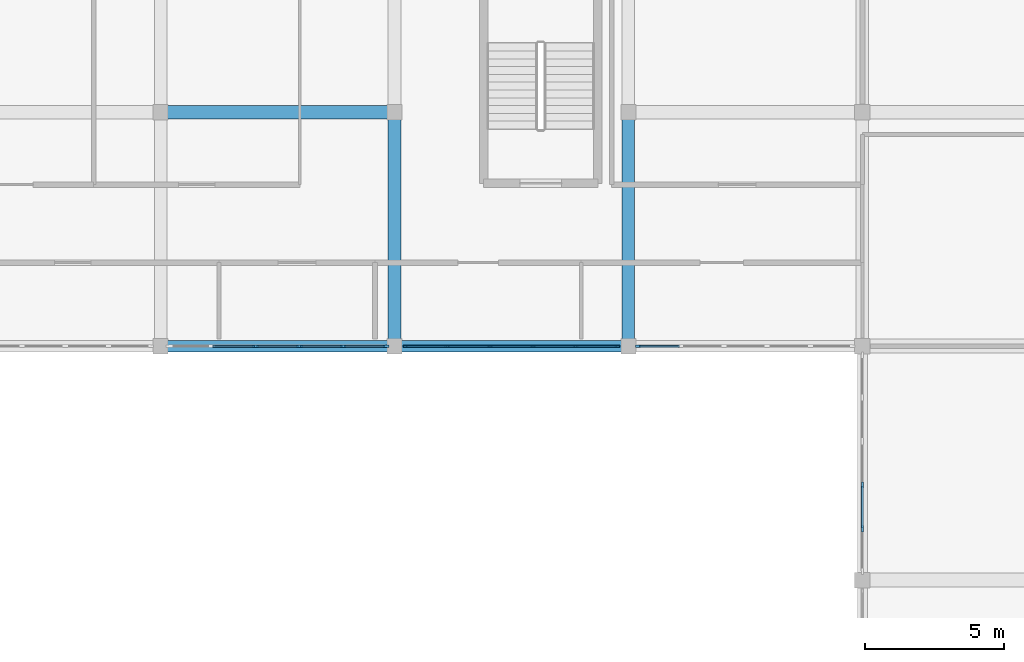
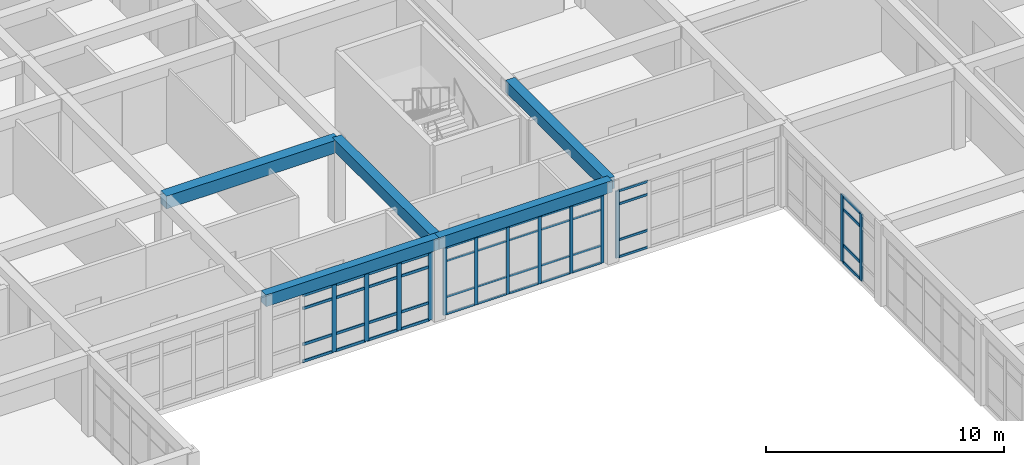
# One storey, part 29 of 77: 57 members, 5 beams, 4 elements without a shape of their own.
"""IFC4 building model written with IfcOpenShell, lengths in metres."""

from ifc_helpers import new_model, si_unit, direction, frame, origin, origin_2d, place, context, subcontext, project, spatial, rectangle, extrude, material, material_profile, profile_set, type_object, element, aggregate, save


model = new_model("IFC4")

# Units and contexts
model_context = context("Model", 3, precision=1e-05, world=origin(), true_north=direction((0.0, 1.0)))
body_context = subcontext(model_context, "Body", "Model", "MODEL_VIEW")
ifc_project = project(units=[si_unit("LENGTHUNIT", "METRE"), si_unit("AREAUNIT", "SQUARE_METRE"), si_unit("VOLUMEUNIT", "CUBIC_METRE"), si_unit("PLANEANGLEUNIT", "RADIAN"), si_unit("MASSUNIT", "GRAM", prefix="KILO")], contexts=[model_context])

# Site, building, storey
site_placement = place(None, origin())
site = spatial("IfcSite", under=ifc_project, at=site_placement, CompositionType="ELEMENT")
building_placement = place(site_placement, origin())
building = spatial("IfcBuilding", under=site, at=building_placement, Name="Varncliffe General Hospital", CompositionType="ELEMENT")
storey_placement = place(building_placement, frame((0.0, 0.0, 16.199951171875)))
storey = spatial("IfcBuildingStorey", under=building, at=storey_placement, Name="L03", CompositionType="ELEMENT", Elevation=16.199951171875)

# Beams
ifc_material_1 = material(Name="Concrete C35/45 (CSA A23.1 35 MPa)", Category="concrete")
ifc_material_profile_1 = material_profile(ifc_material_1, rectangle(XDim=0.5, YDim=0.64990234375, at=origin_2d()), Name="RC 500x650")
ifc_profile_set_1 = profile_set([ifc_material_profile_1], Name="Concrete C35/45 (CSA A23.1 35 MPa)")
beam_type_1 = type_object("IfcBeamType", Name="Beam B29 (Int RC 500x650)", PredefinedType="BEAM", material=ifc_profile_set_1)
beam_1_placement = place(storey_placement, frame((126.0, 91.199951171875, 3.875), z_axis=(1.0, 0.0, 0.0), x_axis=(0.0, 1.0, 0.0)))
element("IfcBeam", 1, at=beam_1_placement, inside=storey, type_object=beam_type_1, Name="L03 Primary Beam B29-99", PredefinedType="BEAM", context=body_context, shape_type="SweptSolid", body=[
    extrude(rectangle(XDim=0.5, YDim=0.64990234375, at=origin_2d()), origin(), (0.0, 0.0, 1.0), 8.39990234375),
])
ifc_material_profile_2 = material_profile(ifc_material_1, rectangle(XDim=0.449951171875, YDim=0.60009765625, at=origin_2d()), Name="RC 450x600")
ifc_profile_set_2 = profile_set([ifc_material_profile_2], Name="Concrete C35/45 (CSA A23.1 35 MPa)")
beam_type_2 = type_object("IfcBeamType", Name="Beam B47 (Int RC 450x600)", PredefinedType="BEAM", material=ifc_profile_set_2)
for number, where, z_axis, x_axis, name in (
    (2, (134.39990234375, 82.800048828125, 3.900146484375), (0.0, 1.0, 0.0), (-1.0, 0.0, 0.0), "L03 Primary Beam B47-347"),
    (3, (142.800048828125, 82.800048828125, 3.900146484375), (0.0, 1.0, 0.0), (-1.0, 0.0, 0.0), "L03 Primary Beam B47-356"),
):
    element("IfcBeam", number, at=place(storey_placement, frame(where, z_axis=z_axis, x_axis=x_axis)), inside=storey, type_object=beam_type_2, Name=name, PredefinedType="BEAM", context=body_context, shape_type="SweptSolid", body=[
        extrude(rectangle(XDim=0.449951171875, YDim=0.60009765625, at=origin_2d()), origin(), (0.0, 0.0, 1.0), 8.39990234375),
    ])

# Curtain wall, member
ifc_material_2 = material(Name="Triple low-E argon insulated vision glazing", Category="glass")
curtain_wall_type_1 = type_object("IfcCurtainWallType", Name="Unitised Glazed Curtain Wall CW23 (7774x3440)", PredefinedType="USERDEFINED", material=ifc_material_2)
curtain_wall_1_placement = place(storey_placement, origin())
curtain_wall_1 = element("IfcCurtainWall", 4, at=curtain_wall_1_placement, inside=storey, type_object=curtain_wall_type_1, Name="L03 Glazed Curtain Wall CW23-169", ObjectType="GLAZED CURTAIN WALL", PredefinedType="USERDEFINED")
ifc_material_3 = material(Name="Dark bronze thermally broken aluminium framing", Category="aluminium")
ifc_material_profile_3 = material_profile(ifc_material_3, rectangle(XDim=0.074951171875, YDim=0.179931640625, at=origin_2d()), Name="ALU 75x180")
ifc_profile_set_3 = profile_set([ifc_material_profile_3], Name="Dark bronze thermally broken aluminium framing")
member_type_1 = type_object("IfcMemberType", Name="Curtain Wall Mullion CM44 (ALU 75x180)", PredefinedType="MULLION", material=ifc_profile_set_3)
member_1_placement = place(storey_placement, frame((143.150390625, 82.800048828125, 0.0), z_axis=(0.0, 0.0, 1.0), x_axis=(0.0, -1.0, 0.0)))
member_1 = element("IfcMember", 5, at=member_1_placement, type_object=member_type_1, Name="CW23 mullion 6", PredefinedType="MULLION", context=body_context, shape_type="SweptSolid", body=[
    extrude(rectangle(XDim=0.074951171875, YDim=0.179931640625, at=origin_2d()), origin(), (0.0, 0.0, 1.0), 3.43994140625),
])

# Curtain wall, members
curtain_wall_type_2 = type_object("IfcCurtainWallType", Name="Unitised Glazed Curtain Wall CW37 (7694x3440)", PredefinedType="USERDEFINED", material=ifc_material_2)
curtain_wall_2_placement = place(storey_placement, origin())
curtain_wall_2 = element("IfcCurtainWall", 6, at=curtain_wall_2_placement, inside=storey, type_object=curtain_wall_type_2, Name="L03 Glazed Curtain Wall CW37-170", ObjectType="GLAZED CURTAIN WALL", PredefinedType="USERDEFINED")
ifc_material_profile_4 = material_profile(ifc_material_3, rectangle(XDim=0.06494140625, YDim=0.159912109375, at=origin_2d()), Name="ALU 65x160")
ifc_profile_set_4 = profile_set([ifc_material_profile_4], Name="Dark bronze thermally broken aluminium framing")
member_type_2 = type_object("IfcMemberType", Name="Curtain Wall Mullion CM65 (ALU 65x160)", PredefinedType="MULLION", material=ifc_profile_set_4)
member_2_placement = place(storey_placement, frame((142.41455078125, 82.800048828125, 0.0), z_axis=(0.0, 0.0, 1.0), x_axis=(0.0, -1.0, 0.0)))
member_2 = element("IfcMember", 7, at=member_2_placement, type_object=member_type_2, Name="CW37 mullion 1", PredefinedType="MULLION", context=body_context, shape_type="SweptSolid", body=[
    extrude(rectangle(XDim=0.06494140625, YDim=0.159912109375, at=origin_2d()), origin(), (0.0, 0.0, 1.0), 3.43994140625),
])
member_3_placement = place(storey_placement, frame((140.908203125, 82.800048828125, 0.0), z_axis=(0.0, 0.0, 1.0), x_axis=(0.0, -1.0, 0.0)))
member_3 = element("IfcMember", 8, at=member_3_placement, type_object=member_type_2, Name="CW37 mullion 2", PredefinedType="MULLION", context=body_context, shape_type="SweptSolid", body=[
    extrude(rectangle(XDim=0.06494140625, YDim=0.159912109375, at=origin_2d()), origin(), (0.0, 0.0, 1.0), 3.43994140625),
])
member_4_placement = place(storey_placement, frame((139.369384765625, 82.800048828125, 0.0), z_axis=(0.0, 0.0, 1.0), x_axis=(0.0, -1.0, 0.0)))
member_4 = element("IfcMember", 9, at=member_4_placement, type_object=member_type_2, Name="CW37 mullion 3", PredefinedType="MULLION", context=body_context, shape_type="SweptSolid", body=[
    extrude(rectangle(XDim=0.06494140625, YDim=0.159912109375, at=origin_2d()), origin(), (0.0, 0.0, 1.0), 3.43994140625),
])
member_5_placement = place(storey_placement, frame((137.83056640625, 82.800048828125, 0.0), z_axis=(0.0, 0.0, 1.0), x_axis=(0.0, -1.0, 0.0)))
member_5 = element("IfcMember", 10, at=member_5_placement, type_object=member_type_2, Name="CW37 mullion 4", PredefinedType="MULLION", context=body_context, shape_type="SweptSolid", body=[
    extrude(rectangle(XDim=0.06494140625, YDim=0.159912109375, at=origin_2d()), origin(), (0.0, 0.0, 1.0), 3.43994140625),
])
member_6_placement = place(storey_placement, frame((136.291748046875, 82.800048828125, 0.0), z_axis=(0.0, 0.0, 1.0), x_axis=(0.0, -1.0, 0.0)))
member_6 = element("IfcMember", 11, at=member_6_placement, type_object=member_type_2, Name="CW37 mullion 5", PredefinedType="MULLION", context=body_context, shape_type="SweptSolid", body=[
    extrude(rectangle(XDim=0.06494140625, YDim=0.159912109375, at=origin_2d()), origin(), (0.0, 0.0, 1.0), 3.43994140625),
])
member_7_placement = place(storey_placement, frame((134.785400390625, 82.800048828125, 0.0), z_axis=(0.0, 0.0, 1.0), x_axis=(0.0, -1.0, 0.0)))
member_7 = element("IfcMember", 12, at=member_7_placement, type_object=member_type_2, Name="CW37 mullion 6", PredefinedType="MULLION", context=body_context, shape_type="SweptSolid", body=[
    extrude(rectangle(XDim=0.06494140625, YDim=0.159912109375, at=origin_2d()), origin(), (0.0, 0.0, 1.0), 3.43994140625),
])

curtain_wall_type_3 = type_object("IfcCurtainWallType", Name="Unitised Glazed Curtain Wall CW83 (7854x3440)", PredefinedType="USERDEFINED", material=ifc_material_2)
curtain_wall_3_placement = place(storey_placement, origin())
curtain_wall_3 = element("IfcCurtainWall", 13, at=curtain_wall_3_placement, inside=storey, type_object=curtain_wall_type_3, Name="L03 Glazed Curtain Wall CW83-168", ObjectType="GLAZED CURTAIN WALL", PredefinedType="USERDEFINED")
ifc_material_profile_5 = material_profile(ifc_material_3, rectangle(XDim=0.074951171875, YDim=0.219970703125, at=origin_2d()), Name="ALU 75x220")
ifc_profile_set_5 = profile_set([ifc_material_profile_5], Name="Dark bronze thermally broken aluminium framing")
member_type_3 = type_object("IfcMemberType", Name="Curtain Wall Mullion CM74 (ALU 75x220)", PredefinedType="MULLION", material=ifc_profile_set_5)
member_8_placement = place(storey_placement, frame((151.199951171875, 76.243896484375, 0.0), z_axis=(0.0, 0.0, 1.0), x_axis=(-1.0, 0.0, 0.0)))
member_8 = element("IfcMember", 14, at=member_8_placement, type_object=member_type_3, Name="CW83 mullion 2", PredefinedType="MULLION", context=body_context, shape_type="SweptSolid", body=[
    extrude(rectangle(XDim=0.074951171875, YDim=0.219970703125, at=origin_2d()), origin(), (0.0, 0.0, 1.0), 3.43994140625),
])
member_9_placement = place(storey_placement, frame((151.199951171875, 77.814697265625, 0.0), z_axis=(0.0, 0.0, 1.0), x_axis=(-1.0, 0.0, 0.0)))
member_9 = element("IfcMember", 15, at=member_9_placement, type_object=member_type_3, Name="CW83 mullion 3", PredefinedType="MULLION", context=body_context, shape_type="SweptSolid", body=[
    extrude(rectangle(XDim=0.074951171875, YDim=0.219970703125, at=origin_2d()), origin(), (0.0, 0.0, 1.0), 3.43994140625),
])

curtain_wall_4_placement = place(storey_placement, origin())
curtain_wall_4 = element("IfcCurtainWall", 16, at=curtain_wall_4_placement, inside=storey, type_object=curtain_wall_type_3, Name="L03 Glazed Curtain Wall CW83-171", ObjectType="GLAZED CURTAIN WALL", PredefinedType="USERDEFINED")
member_10_placement = place(storey_placement, frame((134.089599609375, 82.800048828125, 0.0), z_axis=(0.0, 0.0, 1.0), x_axis=(0.0, -1.0, 0.0)))
member_10 = element("IfcMember", 17, at=member_10_placement, type_object=member_type_3, Name="CW83 mullion 1", PredefinedType="MULLION", context=body_context, shape_type="SweptSolid", body=[
    extrude(rectangle(XDim=0.074951171875, YDim=0.219970703125, at=origin_2d()), origin(), (0.0, 0.0, 1.0), 3.43994140625),
])
member_11_placement = place(storey_placement, frame((132.55615234375, 82.800048828125, 0.0), z_axis=(0.0, 0.0, 1.0), x_axis=(0.0, -1.0, 0.0)))
member_11 = element("IfcMember", 18, at=member_11_placement, type_object=member_type_3, Name="CW83 mullion 2", PredefinedType="MULLION", context=body_context, shape_type="SweptSolid", body=[
    extrude(rectangle(XDim=0.074951171875, YDim=0.219970703125, at=origin_2d()), origin(), (0.0, 0.0, 1.0), 3.43994140625),
])
member_12_placement = place(storey_placement, frame((130.9853515625, 82.800048828125, 0.0), z_axis=(0.0, 0.0, 1.0), x_axis=(0.0, -1.0, 0.0)))
member_12 = element("IfcMember", 19, at=member_12_placement, type_object=member_type_3, Name="CW83 mullion 3", PredefinedType="MULLION", context=body_context, shape_type="SweptSolid", body=[
    extrude(rectangle(XDim=0.074951171875, YDim=0.219970703125, at=origin_2d()), origin(), (0.0, 0.0, 1.0), 3.43994140625),
])
member_13_placement = place(storey_placement, frame((129.41455078125, 82.800048828125, 0.0), z_axis=(0.0, 0.0, 1.0), x_axis=(0.0, -1.0, 0.0)))
member_13 = element("IfcMember", 20, at=member_13_placement, type_object=member_type_3, Name="CW83 mullion 4", PredefinedType="MULLION", context=body_context, shape_type="SweptSolid", body=[
    extrude(rectangle(XDim=0.074951171875, YDim=0.219970703125, at=origin_2d()), origin(), (0.0, 0.0, 1.0), 3.43994140625),
])

# Member
ifc_material_profile_6 = material_profile(ifc_material_3, rectangle(XDim=0.06005859375, YDim=0.1201171875, at=origin_2d()), Name="ALU 60x120")
ifc_profile_set_6 = profile_set([ifc_material_profile_6], Name="Dark bronze thermally broken aluminium framing")
member_type_4 = type_object("IfcMemberType", Name="Curtain Wall Transom CT14 (ALU 60x120)", PredefinedType="USERDEFINED", material=ifc_profile_set_6)
member_14_placement = place(storey_placement, frame((144.63037109375, 82.800048828125, 0.030029296875), z_axis=(-1.0, 0.0, 0.0), x_axis=(0.0, -1.0, 0.0)))
member_14 = element("IfcMember", 21, at=member_14_placement, type_object=member_type_4, Name="CW23 transom 5.1", ObjectType="TRANSOM", PredefinedType="USERDEFINED", context=body_context, shape_type="SweptSolid", body=[
    extrude(rectangle(XDim=0.06005859375, YDim=0.1201171875, at=origin_2d()), origin(), (0.0, 0.0, 1.0), 1.4423828125),
])

member_15_placement = place(storey_placement, frame((144.63037109375, 82.800048828125, 0.900146484375), z_axis=(-1.0, 0.0, 0.0), x_axis=(0.0, -1.0, 0.0)))
member_15 = element("IfcMember", 22, at=member_15_placement, type_object=member_type_4, Name="CW23 transom 5.2", ObjectType="TRANSOM", PredefinedType="USERDEFINED", context=body_context, shape_type="SweptSolid", body=[
    extrude(rectangle(XDim=0.06005859375, YDim=0.1201171875, at=origin_2d()), origin(), (0.0, 0.0, 1.0), 1.4423828125),
])

member_16_placement = place(storey_placement, frame((144.63037109375, 82.800048828125, 2.739990234375), z_axis=(-1.0, 0.0, 0.0), x_axis=(0.0, -1.0, 0.0)))
member_16 = element("IfcMember", 23, at=member_16_placement, type_object=member_type_4, Name="CW23 transom 5.3", ObjectType="TRANSOM", PredefinedType="USERDEFINED", context=body_context, shape_type="SweptSolid", body=[
    extrude(rectangle(XDim=0.06005859375, YDim=0.1201171875, at=origin_2d()), origin(), (0.0, 0.0, 1.0), 1.4423828125),
])

member_17_placement = place(storey_placement, frame((144.63037109375, 82.800048828125, 3.41015625), z_axis=(-1.0, 0.0, 0.0), x_axis=(0.0, -1.0, 0.0)))
member_17 = element("IfcMember", 24, at=member_17_placement, type_object=member_type_4, Name="CW23 transom 5.4", ObjectType="TRANSOM", PredefinedType="USERDEFINED", context=body_context, shape_type="SweptSolid", body=[
    extrude(rectangle(XDim=0.06005859375, YDim=0.1201171875, at=origin_2d()), origin(), (0.0, 0.0, 1.0), 1.4423828125),
])

aggregate(curtain_wall_1, [member_1, member_14, member_15, member_16, member_17])

ifc_material_profile_7 = material_profile(ifc_material_3, rectangle(XDim=0.06005859375, YDim=0.10009765625, at=origin_2d()), Name="ALU 60x100")
ifc_profile_set_7 = profile_set([ifc_material_profile_7], Name="Dark bronze thermally broken aluminium framing")
member_type_5 = type_object("IfcMemberType", Name="Curtain Wall Transom CT18 (ALU 60x100)", PredefinedType="USERDEFINED", material=ifc_profile_set_7)
member_18_placement = place(storey_placement, frame((142.382080078125, 82.800048828125, 0.030029296875), z_axis=(-1.0, 0.0, 0.0), x_axis=(0.0, -1.0, 0.0)))
member_18 = element("IfcMember", 25, at=member_18_placement, type_object=member_type_5, Name="CW37 transom 1.1", ObjectType="TRANSOM", PredefinedType="USERDEFINED", context=body_context, shape_type="SweptSolid", body=[
    extrude(rectangle(XDim=0.06005859375, YDim=0.10009765625, at=origin_2d()), origin(), (0.0, 0.0, 1.0), 1.44140625),
])

member_19_placement = place(storey_placement, frame((142.382080078125, 82.800048828125, 0.900146484375), z_axis=(-1.0, 0.0, 0.0), x_axis=(0.0, -1.0, 0.0)))
member_19 = element("IfcMember", 26, at=member_19_placement, type_object=member_type_5, Name="CW37 transom 1.2", ObjectType="TRANSOM", PredefinedType="USERDEFINED", context=body_context, shape_type="SweptSolid", body=[
    extrude(rectangle(XDim=0.06005859375, YDim=0.10009765625, at=origin_2d()), origin(), (0.0, 0.0, 1.0), 1.44140625),
])

member_20_placement = place(storey_placement, frame((142.382080078125, 82.800048828125, 2.739990234375), z_axis=(-1.0, 0.0, 0.0), x_axis=(0.0, -1.0, 0.0)))
member_20 = element("IfcMember", 27, at=member_20_placement, type_object=member_type_5, Name="CW37 transom 1.3", ObjectType="TRANSOM", PredefinedType="USERDEFINED", context=body_context, shape_type="SweptSolid", body=[
    extrude(rectangle(XDim=0.06005859375, YDim=0.10009765625, at=origin_2d()), origin(), (0.0, 0.0, 1.0), 1.44140625),
])

member_21_placement = place(storey_placement, frame((142.382080078125, 82.800048828125, 3.41015625), z_axis=(-1.0, 0.0, 0.0), x_axis=(0.0, -1.0, 0.0)))
member_21 = element("IfcMember", 28, at=member_21_placement, type_object=member_type_5, Name="CW37 transom 1.4", ObjectType="TRANSOM", PredefinedType="USERDEFINED", context=body_context, shape_type="SweptSolid", body=[
    extrude(rectangle(XDim=0.06005859375, YDim=0.10009765625, at=origin_2d()), origin(), (0.0, 0.0, 1.0), 1.44140625),
])

member_22_placement = place(storey_placement, frame((140.875732421875, 82.800048828125, 0.030029296875), z_axis=(-1.0, 0.0, 0.0), x_axis=(0.0, -1.0, 0.0)))
member_22 = element("IfcMember", 29, at=member_22_placement, type_object=member_type_5, Name="CW37 transom 2.1", ObjectType="TRANSOM", PredefinedType="USERDEFINED", context=body_context, shape_type="SweptSolid", body=[
    extrude(rectangle(XDim=0.06005859375, YDim=0.10009765625, at=origin_2d()), origin(), (0.0, 0.0, 1.0), 1.473876953125),
])

member_23_placement = place(storey_placement, frame((140.875732421875, 82.800048828125, 0.900146484375), z_axis=(-1.0, 0.0, 0.0), x_axis=(0.0, -1.0, 0.0)))
member_23 = element("IfcMember", 30, at=member_23_placement, type_object=member_type_5, Name="CW37 transom 2.2", ObjectType="TRANSOM", PredefinedType="USERDEFINED", context=body_context, shape_type="SweptSolid", body=[
    extrude(rectangle(XDim=0.06005859375, YDim=0.10009765625, at=origin_2d()), origin(), (0.0, 0.0, 1.0), 1.473876953125),
])

member_24_placement = place(storey_placement, frame((140.875732421875, 82.800048828125, 2.739990234375), z_axis=(-1.0, 0.0, 0.0), x_axis=(0.0, -1.0, 0.0)))
member_24 = element("IfcMember", 31, at=member_24_placement, type_object=member_type_5, Name="CW37 transom 2.3", ObjectType="TRANSOM", PredefinedType="USERDEFINED", context=body_context, shape_type="SweptSolid", body=[
    extrude(rectangle(XDim=0.06005859375, YDim=0.10009765625, at=origin_2d()), origin(), (0.0, 0.0, 1.0), 1.473876953125),
])

member_25_placement = place(storey_placement, frame((140.875732421875, 82.800048828125, 3.41015625), z_axis=(-1.0, 0.0, 0.0), x_axis=(0.0, -1.0, 0.0)))
member_25 = element("IfcMember", 32, at=member_25_placement, type_object=member_type_5, Name="CW37 transom 2.4", ObjectType="TRANSOM", PredefinedType="USERDEFINED", context=body_context, shape_type="SweptSolid", body=[
    extrude(rectangle(XDim=0.06005859375, YDim=0.10009765625, at=origin_2d()), origin(), (0.0, 0.0, 1.0), 1.473876953125),
])

member_26_placement = place(storey_placement, frame((139.3369140625, 82.800048828125, 0.030029296875), z_axis=(-1.0, 0.0, 0.0), x_axis=(0.0, -1.0, 0.0)))
member_26 = element("IfcMember", 33, at=member_26_placement, type_object=member_type_5, Name="CW37 transom 3.1", ObjectType="TRANSOM", PredefinedType="USERDEFINED", context=body_context, shape_type="SweptSolid", body=[
    extrude(rectangle(XDim=0.06005859375, YDim=0.10009765625, at=origin_2d()), origin(), (0.0, 0.0, 1.0), 1.473876953125),
])

member_27_placement = place(storey_placement, frame((139.3369140625, 82.800048828125, 0.900146484375), z_axis=(-1.0, 0.0, 0.0), x_axis=(0.0, -1.0, 0.0)))
member_27 = element("IfcMember", 34, at=member_27_placement, type_object=member_type_5, Name="CW37 transom 3.2", ObjectType="TRANSOM", PredefinedType="USERDEFINED", context=body_context, shape_type="SweptSolid", body=[
    extrude(rectangle(XDim=0.06005859375, YDim=0.10009765625, at=origin_2d()), origin(), (0.0, 0.0, 1.0), 1.473876953125),
])

member_28_placement = place(storey_placement, frame((139.3369140625, 82.800048828125, 2.739990234375), z_axis=(-1.0, 0.0, 0.0), x_axis=(0.0, -1.0, 0.0)))
member_28 = element("IfcMember", 35, at=member_28_placement, type_object=member_type_5, Name="CW37 transom 3.3", ObjectType="TRANSOM", PredefinedType="USERDEFINED", context=body_context, shape_type="SweptSolid", body=[
    extrude(rectangle(XDim=0.06005859375, YDim=0.10009765625, at=origin_2d()), origin(), (0.0, 0.0, 1.0), 1.473876953125),
])

member_29_placement = place(storey_placement, frame((139.3369140625, 82.800048828125, 3.41015625), z_axis=(-1.0, 0.0, 0.0), x_axis=(0.0, -1.0, 0.0)))
member_29 = element("IfcMember", 36, at=member_29_placement, type_object=member_type_5, Name="CW37 transom 3.4", ObjectType="TRANSOM", PredefinedType="USERDEFINED", context=body_context, shape_type="SweptSolid", body=[
    extrude(rectangle(XDim=0.06005859375, YDim=0.10009765625, at=origin_2d()), origin(), (0.0, 0.0, 1.0), 1.473876953125),
])

member_30_placement = place(storey_placement, frame((137.798095703125, 82.800048828125, 0.030029296875), z_axis=(-1.0, 0.0, 0.0), x_axis=(0.0, -1.0, 0.0)))
member_30 = element("IfcMember", 37, at=member_30_placement, type_object=member_type_5, Name="CW37 transom 4.1", ObjectType="TRANSOM", PredefinedType="USERDEFINED", context=body_context, shape_type="SweptSolid", body=[
    extrude(rectangle(XDim=0.06005859375, YDim=0.10009765625, at=origin_2d()), origin(), (0.0, 0.0, 1.0), 1.473876953125),
])

member_31_placement = place(storey_placement, frame((137.798095703125, 82.800048828125, 0.900146484375), z_axis=(-1.0, 0.0, 0.0), x_axis=(0.0, -1.0, 0.0)))
member_31 = element("IfcMember", 38, at=member_31_placement, type_object=member_type_5, Name="CW37 transom 4.2", ObjectType="TRANSOM", PredefinedType="USERDEFINED", context=body_context, shape_type="SweptSolid", body=[
    extrude(rectangle(XDim=0.06005859375, YDim=0.10009765625, at=origin_2d()), origin(), (0.0, 0.0, 1.0), 1.473876953125),
])

member_32_placement = place(storey_placement, frame((137.798095703125, 82.800048828125, 2.739990234375), z_axis=(-1.0, 0.0, 0.0), x_axis=(0.0, -1.0, 0.0)))
member_32 = element("IfcMember", 39, at=member_32_placement, type_object=member_type_5, Name="CW37 transom 4.3", ObjectType="TRANSOM", PredefinedType="USERDEFINED", context=body_context, shape_type="SweptSolid", body=[
    extrude(rectangle(XDim=0.06005859375, YDim=0.10009765625, at=origin_2d()), origin(), (0.0, 0.0, 1.0), 1.473876953125),
])

member_33_placement = place(storey_placement, frame((137.798095703125, 82.800048828125, 3.41015625), z_axis=(-1.0, 0.0, 0.0), x_axis=(0.0, -1.0, 0.0)))
member_33 = element("IfcMember", 40, at=member_33_placement, type_object=member_type_5, Name="CW37 transom 4.4", ObjectType="TRANSOM", PredefinedType="USERDEFINED", context=body_context, shape_type="SweptSolid", body=[
    extrude(rectangle(XDim=0.06005859375, YDim=0.10009765625, at=origin_2d()), origin(), (0.0, 0.0, 1.0), 1.473876953125),
])

member_34_placement = place(storey_placement, frame((136.25927734375, 82.800048828125, 0.030029296875), z_axis=(-1.0, 0.0, 0.0), x_axis=(0.0, -1.0, 0.0)))
member_34 = element("IfcMember", 41, at=member_34_placement, type_object=member_type_5, Name="CW37 transom 5.1", ObjectType="TRANSOM", PredefinedType="USERDEFINED", context=body_context, shape_type="SweptSolid", body=[
    extrude(rectangle(XDim=0.06005859375, YDim=0.10009765625, at=origin_2d()), origin(), (0.0, 0.0, 1.0), 1.441162109375),
])

member_35_placement = place(storey_placement, frame((136.25927734375, 82.800048828125, 0.900146484375), z_axis=(-1.0, 0.0, 0.0), x_axis=(0.0, -1.0, 0.0)))
member_35 = element("IfcMember", 42, at=member_35_placement, type_object=member_type_5, Name="CW37 transom 5.2", ObjectType="TRANSOM", PredefinedType="USERDEFINED", context=body_context, shape_type="SweptSolid", body=[
    extrude(rectangle(XDim=0.06005859375, YDim=0.10009765625, at=origin_2d()), origin(), (0.0, 0.0, 1.0), 1.441162109375),
])

member_36_placement = place(storey_placement, frame((136.25927734375, 82.800048828125, 2.739990234375), z_axis=(-1.0, 0.0, 0.0), x_axis=(0.0, -1.0, 0.0)))
member_36 = element("IfcMember", 43, at=member_36_placement, type_object=member_type_5, Name="CW37 transom 5.3", ObjectType="TRANSOM", PredefinedType="USERDEFINED", context=body_context, shape_type="SweptSolid", body=[
    extrude(rectangle(XDim=0.06005859375, YDim=0.10009765625, at=origin_2d()), origin(), (0.0, 0.0, 1.0), 1.441162109375),
])

member_37_placement = place(storey_placement, frame((136.25927734375, 82.800048828125, 3.41015625), z_axis=(-1.0, 0.0, 0.0), x_axis=(0.0, -1.0, 0.0)))
member_37 = element("IfcMember", 44, at=member_37_placement, type_object=member_type_5, Name="CW37 transom 5.4", ObjectType="TRANSOM", PredefinedType="USERDEFINED", context=body_context, shape_type="SweptSolid", body=[
    extrude(rectangle(XDim=0.06005859375, YDim=0.10009765625, at=origin_2d()), origin(), (0.0, 0.0, 1.0), 1.441162109375),
])

aggregate(curtain_wall_2, [member_2, member_3, member_4, member_5, member_6, member_7, member_18, member_19, member_20, member_21, member_22, member_23, member_24, member_25, member_26, member_27, member_28, member_29, member_30, member_31, member_32, member_33, member_34, member_35, member_36, member_37])

ifc_material_profile_8 = material_profile(ifc_material_3, rectangle(XDim=0.06494140625, YDim=0.139892578125, at=origin_2d()), Name="ALU 65x140")
ifc_profile_set_8 = profile_set([ifc_material_profile_8], Name="Dark bronze thermally broken aluminium framing")
member_type_6 = type_object("IfcMemberType", Name="Curtain Wall Transom CT69 (ALU 65x140)", PredefinedType="USERDEFINED", material=ifc_profile_set_8)
member_38_placement = place(storey_placement, frame((151.199951171875, 76.28125, 0.032470703125), z_axis=(0.0, 1.0, 0.0), x_axis=(-1.0, 0.0, 0.0)))
member_38 = element("IfcMember", 45, at=member_38_placement, type_object=member_type_6, Name="CW83 transom 2.1", ObjectType="TRANSOM", PredefinedType="USERDEFINED", context=body_context, shape_type="SweptSolid", body=[
    extrude(rectangle(XDim=0.06494140625, YDim=0.139892578125, at=origin_2d()), origin(), (0.0, 0.0, 1.0), 1.495849609375),
])

member_39_placement = place(storey_placement, frame((151.199951171875, 76.28125, 0.900146484375), z_axis=(0.0, 1.0, 0.0), x_axis=(-1.0, 0.0, 0.0)))
member_39 = element("IfcMember", 46, at=member_39_placement, type_object=member_type_6, Name="CW83 transom 2.2", ObjectType="TRANSOM", PredefinedType="USERDEFINED", context=body_context, shape_type="SweptSolid", body=[
    extrude(rectangle(XDim=0.06494140625, YDim=0.139892578125, at=origin_2d()), origin(), (0.0, 0.0, 1.0), 1.495849609375),
])

member_40_placement = place(storey_placement, frame((151.199951171875, 76.28125, 2.739990234375), z_axis=(0.0, 1.0, 0.0), x_axis=(-1.0, 0.0, 0.0)))
member_40 = element("IfcMember", 47, at=member_40_placement, type_object=member_type_6, Name="CW83 transom 2.3", ObjectType="TRANSOM", PredefinedType="USERDEFINED", context=body_context, shape_type="SweptSolid", body=[
    extrude(rectangle(XDim=0.06494140625, YDim=0.139892578125, at=origin_2d()), origin(), (0.0, 0.0, 1.0), 1.495849609375),
])

member_41_placement = place(storey_placement, frame((151.199951171875, 76.28125, 3.407470703125), z_axis=(0.0, 1.0, 0.0), x_axis=(-1.0, 0.0, 0.0)))
member_41 = element("IfcMember", 48, at=member_41_placement, type_object=member_type_6, Name="CW83 transom 2.4", ObjectType="TRANSOM", PredefinedType="USERDEFINED", context=body_context, shape_type="SweptSolid", body=[
    extrude(rectangle(XDim=0.06494140625, YDim=0.139892578125, at=origin_2d()), origin(), (0.0, 0.0, 1.0), 1.495849609375),
])

aggregate(curtain_wall_3, [member_8, member_9, member_38, member_39, member_40, member_41])

member_42_placement = place(storey_placement, frame((134.052001953125, 82.800048828125, 0.032470703125), z_axis=(-1.0, 0.0, 0.0), x_axis=(0.0, -1.0, 0.0)))
member_42 = element("IfcMember", 49, at=member_42_placement, type_object=member_type_6, Name="CW83 transom 1.1", ObjectType="TRANSOM", PredefinedType="USERDEFINED", context=body_context, shape_type="SweptSolid", body=[
    extrude(rectangle(XDim=0.06494140625, YDim=0.139892578125, at=origin_2d()), origin(), (0.0, 0.0, 1.0), 1.458251953125),
])

member_43_placement = place(storey_placement, frame((134.052001953125, 82.800048828125, 0.900146484375), z_axis=(-1.0, 0.0, 0.0), x_axis=(0.0, -1.0, 0.0)))
member_43 = element("IfcMember", 50, at=member_43_placement, type_object=member_type_6, Name="CW83 transom 1.2", ObjectType="TRANSOM", PredefinedType="USERDEFINED", context=body_context, shape_type="SweptSolid", body=[
    extrude(rectangle(XDim=0.06494140625, YDim=0.139892578125, at=origin_2d()), origin(), (0.0, 0.0, 1.0), 1.458251953125),
])

member_44_placement = place(storey_placement, frame((134.052001953125, 82.800048828125, 2.739990234375), z_axis=(-1.0, 0.0, 0.0), x_axis=(0.0, -1.0, 0.0)))
member_44 = element("IfcMember", 51, at=member_44_placement, type_object=member_type_6, Name="CW83 transom 1.3", ObjectType="TRANSOM", PredefinedType="USERDEFINED", context=body_context, shape_type="SweptSolid", body=[
    extrude(rectangle(XDim=0.06494140625, YDim=0.139892578125, at=origin_2d()), origin(), (0.0, 0.0, 1.0), 1.458251953125),
])

member_45_placement = place(storey_placement, frame((134.052001953125, 82.800048828125, 3.407470703125), z_axis=(-1.0, 0.0, 0.0), x_axis=(0.0, -1.0, 0.0)))
member_45 = element("IfcMember", 52, at=member_45_placement, type_object=member_type_6, Name="CW83 transom 1.4", ObjectType="TRANSOM", PredefinedType="USERDEFINED", context=body_context, shape_type="SweptSolid", body=[
    extrude(rectangle(XDim=0.06494140625, YDim=0.139892578125, at=origin_2d()), origin(), (0.0, 0.0, 1.0), 1.458251953125),
])

member_46_placement = place(storey_placement, frame((132.518798828125, 82.800048828125, 0.032470703125), z_axis=(-1.0, 0.0, 0.0), x_axis=(0.0, -1.0, 0.0)))
member_46 = element("IfcMember", 53, at=member_46_placement, type_object=member_type_6, Name="CW83 transom 2.1", ObjectType="TRANSOM", PredefinedType="USERDEFINED", context=body_context, shape_type="SweptSolid", body=[
    extrude(rectangle(XDim=0.06494140625, YDim=0.139892578125, at=origin_2d()), origin(), (0.0, 0.0, 1.0), 1.495849609375),
])

member_47_placement = place(storey_placement, frame((132.518798828125, 82.800048828125, 0.900146484375), z_axis=(-1.0, 0.0, 0.0), x_axis=(0.0, -1.0, 0.0)))
member_47 = element("IfcMember", 54, at=member_47_placement, type_object=member_type_6, Name="CW83 transom 2.2", ObjectType="TRANSOM", PredefinedType="USERDEFINED", context=body_context, shape_type="SweptSolid", body=[
    extrude(rectangle(XDim=0.06494140625, YDim=0.139892578125, at=origin_2d()), origin(), (0.0, 0.0, 1.0), 1.495849609375),
])

member_48_placement = place(storey_placement, frame((132.518798828125, 82.800048828125, 2.739990234375), z_axis=(-1.0, 0.0, 0.0), x_axis=(0.0, -1.0, 0.0)))
member_48 = element("IfcMember", 55, at=member_48_placement, type_object=member_type_6, Name="CW83 transom 2.3", ObjectType="TRANSOM", PredefinedType="USERDEFINED", context=body_context, shape_type="SweptSolid", body=[
    extrude(rectangle(XDim=0.06494140625, YDim=0.139892578125, at=origin_2d()), origin(), (0.0, 0.0, 1.0), 1.495849609375),
])

member_49_placement = place(storey_placement, frame((132.518798828125, 82.800048828125, 3.407470703125), z_axis=(-1.0, 0.0, 0.0), x_axis=(0.0, -1.0, 0.0)))
member_49 = element("IfcMember", 56, at=member_49_placement, type_object=member_type_6, Name="CW83 transom 2.4", ObjectType="TRANSOM", PredefinedType="USERDEFINED", context=body_context, shape_type="SweptSolid", body=[
    extrude(rectangle(XDim=0.06494140625, YDim=0.139892578125, at=origin_2d()), origin(), (0.0, 0.0, 1.0), 1.495849609375),
])

member_50_placement = place(storey_placement, frame((130.947998046875, 82.800048828125, 0.032470703125), z_axis=(-1.0, 0.0, 0.0), x_axis=(0.0, -1.0, 0.0)))
member_50 = element("IfcMember", 57, at=member_50_placement, type_object=member_type_6, Name="CW83 transom 3.1", ObjectType="TRANSOM", PredefinedType="USERDEFINED", context=body_context, shape_type="SweptSolid", body=[
    extrude(rectangle(XDim=0.06494140625, YDim=0.139892578125, at=origin_2d()), origin(), (0.0, 0.0, 1.0), 1.495849609375),
])

member_51_placement = place(storey_placement, frame((130.947998046875, 82.800048828125, 0.900146484375), z_axis=(-1.0, 0.0, 0.0), x_axis=(0.0, -1.0, 0.0)))
member_51 = element("IfcMember", 58, at=member_51_placement, type_object=member_type_6, Name="CW83 transom 3.2", ObjectType="TRANSOM", PredefinedType="USERDEFINED", context=body_context, shape_type="SweptSolid", body=[
    extrude(rectangle(XDim=0.06494140625, YDim=0.139892578125, at=origin_2d()), origin(), (0.0, 0.0, 1.0), 1.495849609375),
])

member_52_placement = place(storey_placement, frame((130.947998046875, 82.800048828125, 2.739990234375), z_axis=(-1.0, 0.0, 0.0), x_axis=(0.0, -1.0, 0.0)))
member_52 = element("IfcMember", 59, at=member_52_placement, type_object=member_type_6, Name="CW83 transom 3.3", ObjectType="TRANSOM", PredefinedType="USERDEFINED", context=body_context, shape_type="SweptSolid", body=[
    extrude(rectangle(XDim=0.06494140625, YDim=0.139892578125, at=origin_2d()), origin(), (0.0, 0.0, 1.0), 1.495849609375),
])

member_53_placement = place(storey_placement, frame((130.947998046875, 82.800048828125, 3.407470703125), z_axis=(-1.0, 0.0, 0.0), x_axis=(0.0, -1.0, 0.0)))
member_53 = element("IfcMember", 60, at=member_53_placement, type_object=member_type_6, Name="CW83 transom 3.4", ObjectType="TRANSOM", PredefinedType="USERDEFINED", context=body_context, shape_type="SweptSolid", body=[
    extrude(rectangle(XDim=0.06494140625, YDim=0.139892578125, at=origin_2d()), origin(), (0.0, 0.0, 1.0), 1.495849609375),
])

member_54_placement = place(storey_placement, frame((129.377197265625, 82.800048828125, 0.032470703125), z_axis=(-1.0, 0.0, 0.0), x_axis=(0.0, -1.0, 0.0)))
member_54 = element("IfcMember", 61, at=member_54_placement, type_object=member_type_6, Name="CW83 transom 4.1", ObjectType="TRANSOM", PredefinedType="USERDEFINED", context=body_context, shape_type="SweptSolid", body=[
    extrude(rectangle(XDim=0.06494140625, YDim=0.139892578125, at=origin_2d()), origin(), (0.0, 0.0, 1.0), 1.495849609375),
])

member_55_placement = place(storey_placement, frame((129.377197265625, 82.800048828125, 0.900146484375), z_axis=(-1.0, 0.0, 0.0), x_axis=(0.0, -1.0, 0.0)))
member_55 = element("IfcMember", 62, at=member_55_placement, type_object=member_type_6, Name="CW83 transom 4.2", ObjectType="TRANSOM", PredefinedType="USERDEFINED", context=body_context, shape_type="SweptSolid", body=[
    extrude(rectangle(XDim=0.06494140625, YDim=0.139892578125, at=origin_2d()), origin(), (0.0, 0.0, 1.0), 1.495849609375),
])

member_56_placement = place(storey_placement, frame((129.377197265625, 82.800048828125, 2.739990234375), z_axis=(-1.0, 0.0, 0.0), x_axis=(0.0, -1.0, 0.0)))
member_56 = element("IfcMember", 63, at=member_56_placement, type_object=member_type_6, Name="CW83 transom 4.3", ObjectType="TRANSOM", PredefinedType="USERDEFINED", context=body_context, shape_type="SweptSolid", body=[
    extrude(rectangle(XDim=0.06494140625, YDim=0.139892578125, at=origin_2d()), origin(), (0.0, 0.0, 1.0), 1.495849609375),
])

member_57_placement = place(storey_placement, frame((129.377197265625, 82.800048828125, 3.407470703125), z_axis=(-1.0, 0.0, 0.0), x_axis=(0.0, -1.0, 0.0)))
member_57 = element("IfcMember", 64, at=member_57_placement, type_object=member_type_6, Name="CW83 transom 4.4", ObjectType="TRANSOM", PredefinedType="USERDEFINED", context=body_context, shape_type="SweptSolid", body=[
    extrude(rectangle(XDim=0.06494140625, YDim=0.139892578125, at=origin_2d()), origin(), (0.0, 0.0, 1.0), 1.495849609375),
])

aggregate(curtain_wall_4, [member_10, member_11, member_12, member_13, member_42, member_43, member_44, member_45, member_46, member_47, member_48, member_49, member_50, member_51, member_52, member_53, member_54, member_55, member_56, member_57])

# Beams
ifc_material_profile_9 = material_profile(ifc_material_1, rectangle(XDim=0.39990234375, YDim=0.60009765625, at=origin_2d()), Name="RC 400x600")
ifc_profile_set_9 = profile_set([ifc_material_profile_9], Name="Concrete C35/45 (CSA A23.1 35 MPa)")
beam_type_3 = type_object("IfcBeamType", Name="Spandrel SP58 (Ext RC 400x600B)", PredefinedType="SPANDREL", material=ifc_profile_set_9)
beam_2_placement = place(storey_placement, frame((126.0, 82.800048828125, 3.900146484375), z_axis=(1.0, 0.0, 0.0), x_axis=(0.0, 1.0, 0.0)))
element("IfcBeam", 65, at=beam_2_placement, inside=storey, type_object=beam_type_3, Name="L03 Spandrel Beam SP58-80", PredefinedType="SPANDREL", context=body_context, shape_type="SweptSolid", body=[
    extrude(rectangle(XDim=0.39990234375, YDim=0.60009765625, at=origin_2d()), origin(), (0.0, 0.0, 1.0), 8.39990234375),
])
beam_3_placement = place(storey_placement, frame((134.39990234375, 82.800048828125, 3.900146484375), z_axis=(1.0, 0.0, 0.0), x_axis=(0.0, 1.0, 0.0)))
element("IfcBeam", 66, at=beam_3_placement, inside=storey, type_object=beam_type_3, Name="L03 Spandrel Beam SP58-81", PredefinedType="SPANDREL", context=body_context, shape_type="SweptSolid", body=[
    extrude(rectangle(XDim=0.39990234375, YDim=0.60009765625, at=origin_2d()), origin(), (0.0, 0.0, 1.0), 8.400146484375),
])

save(model, "model.ifc")
